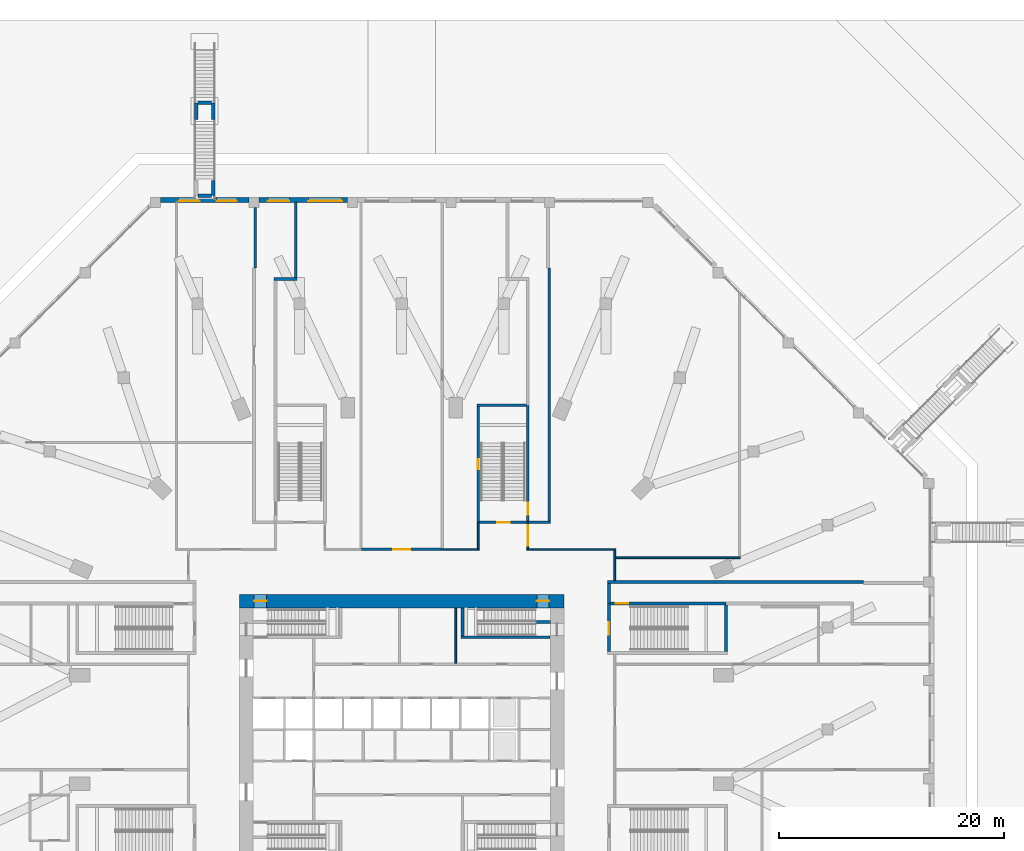
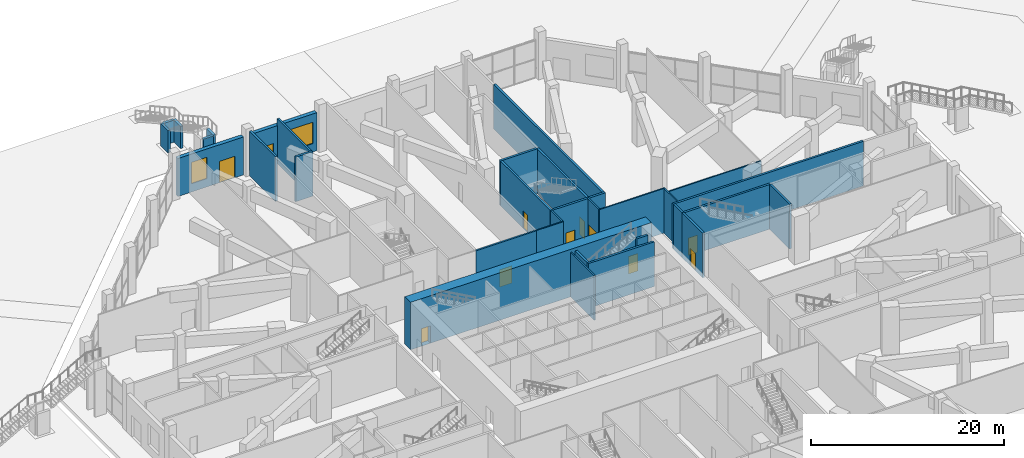
# One storey, part 27 of 36: 33 walls, 11 doors, 2 windows, 13 openings.
"""IFC4 building model written with IfcOpenShell, lengths in metres."""

from ifc_helpers import new_model, si_unit, direction, frame, frame_2d, origin, place, context, subcontext, project, spatial, rectangle, extrude, material, layer, layer_set, type_object, element, fill, save


model = new_model("IFC4")

# Units and contexts
model_context = context("Model", 3, precision=1e-05, world=origin(), true_north=direction((0.0, 1.0)))
body_context = subcontext(model_context, "Body", "Model", "MODEL_VIEW")
ifc_project = project(units=[si_unit("LENGTHUNIT", "METRE"), si_unit("AREAUNIT", "SQUARE_METRE"), si_unit("VOLUMEUNIT", "CUBIC_METRE"), si_unit("PLANEANGLEUNIT", "RADIAN"), si_unit("MASSUNIT", "GRAM", prefix="KILO")], contexts=[model_context])

# Site, building, storey
site_placement = place(None, origin())
site = spatial("IfcSite", under=ifc_project, at=site_placement, CompositionType="ELEMENT")
building_placement = place(site_placement, origin())
building = spatial("IfcBuilding", under=site, at=building_placement, Name="Msitu Wima Residences", CompositionType="ELEMENT")
storey_placement = place(building_placement, origin())
storey = spatial("IfcBuildingStorey", under=building, at=storey_placement, Name="L00", CompositionType="ELEMENT", Elevation=0.0)

# Wall, openings, door, window
ifc_material_1 = material(Name="Brick (red buff mix), cavity wall of two leaves", Category="masonry")
ifc_layer_1 = layer(ifc_material_1, 0.449951171875)
ifc_layer_set_1 = layer_set([ifc_layer_1], Name="Brick (red buff mix), cavity wall of two leaves")
wall_type_1 = type_object("IfcWallType", Name="Brick infill wall BW450 podium", PredefinedType="ELEMENTEDWALL", material=ifc_layer_set_1)
wall_1_placement = place(storey_placement, frame((-4.8212890625, 47.02490234375, 0.0), z_axis=(0.0, 0.0, 1.0), x_axis=(-1.0, 0.0, 0.0)))
wall_1 = element("IfcWall", 1, at=wall_1_placement, inside=storey, type_object=wall_type_1, Name="Brick infill wall L00 N3", PredefinedType="ELEMENTEDWALL", context=body_context, shape_type="SweptSolid", body=[
    extrude(rectangle(XDim=7.84228515625, YDim=0.449951171875, at=frame_2d((3.921142578125, 0.0))), origin(), (0.0, 0.0, 1.0), 4.800048828125),
])
opening_1_placement = place(wall_1_placement, frame((0.47119140625, 0.0, 1.050048828125)))
opening_1 = element("IfcOpeningElement", 2, at=opening_1_placement, cuts=wall_1, Name="Opening W00.002", PredefinedType="OPENING", context=body_context, shape_type="SweptSolid", body=[
    extrude(rectangle(XDim=3.0, YDim=2.699951171875, at=frame_2d((1.5, 1.35009765625))), frame((0.0, 0.23486328125, 0.0), z_axis=(0.0, -1.0, 0.0), x_axis=(1.0, 0.0, 0.0)), (0.0, 0.0, 1.0), 0.469970703125),
])
opening_2_placement = place(wall_1_placement, frame((5.15673828125, 0.0, 0.0)))
opening_2 = element("IfcOpeningElement", 3, at=opening_2_placement, cuts=wall_1, Name="Opening D00.010", PredefinedType="OPENING", context=body_context, shape_type="SweptSolid", body=[
    extrude(rectangle(XDim=1.89990234375, YDim=2.699951171875, at=frame_2d((0.949951171875, 1.35009765625))), frame((0.0, 0.23486328125, 0.0), z_axis=(0.0, -1.0, 0.0), x_axis=(1.0, 0.0, 0.0)), (0.0, 0.0, 1.0), 0.469970703125),
])
ifc_material_2 = material(Name="Anodised aluminium, bronze finish, clear laminated glazing", Category="aluminium")
door_type_1 = type_object("IfcDoorType", Name="Exit door D1900x2700", OperationType="DOUBLE_DOOR_SINGLE_SWING", PredefinedType="DOOR", material=ifc_material_2)
door_1_placement = place(opening_2_placement, frame((1.89990234375, 0.0, 0.0), z_axis=(0.0, 0.0, 1.0), x_axis=(-1.0, 0.0, 0.0)))
door_1 = element("IfcDoor", 4, at=door_1_placement, inside=storey, type_object=door_type_1, Name="Exit door L00 N3", OperationType="DOUBLE_DOOR_SINGLE_SWING", OverallHeight=2.699951171875, OverallWidth=1.89990234375, PredefinedType="DOOR", context=body_context, shape_type="SweptSolid", body=[
    extrude(rectangle(XDim=1.89990234375, YDim=2.699951171875, at=frame_2d((0.949951171875, 1.35009765625))), frame((0.0, -0.079833984375, 0.0), z_axis=(0.0, -1.0, 0.0), x_axis=(1.0, 0.0, 0.0)), (0.0, 0.0, 1.0), 0.050048828125),
])
fill(opening_2, door_1)
ifc_material_3 = material(Name="Anodised aluminium, bronze finish, clear low-emissivity double glazing", Category="aluminium")
window_type_1 = type_object("IfcWindowType", Name="Window W3000x2700", PartitioningType="DOUBLE_PANEL_VERTICAL", PredefinedType="WINDOW", material=ifc_material_3)
window_1_placement = place(opening_1_placement, origin())
window_1 = element("IfcWindow", 5, at=window_1_placement, inside=storey, type_object=window_type_1, Name="Window L00 N3.1", OverallHeight=2.699951171875, OverallWidth=3.0, PartitioningType="SINGLE_PANEL", PredefinedType="WINDOW", context=body_context, shape_type="SweptSolid", body=[
    extrude(rectangle(XDim=3.0, YDim=2.699951171875, at=frame_2d((1.5, 1.35009765625))), frame((0.0, 0.135009765625, 0.0), z_axis=(0.0, -1.0, 0.0), x_axis=(1.0, 0.0, 0.0)), (0.0, 0.0, 1.0), 0.06005859375),
])
fill(opening_1, window_1)

wall_2_placement = place(storey_placement, frame((-13.5634765625, 47.02490234375, 0.0), z_axis=(0.0, 0.0, 1.0), x_axis=(-1.0, 0.0, 0.0)))
wall_2 = element("IfcWall", 6, at=wall_2_placement, inside=storey, type_object=wall_type_1, Name="Brick infill wall L00 N4", PredefinedType="ELEMENTEDWALL", context=body_context, shape_type="SweptSolid", body=[
    extrude(rectangle(XDim=7.84228515625, YDim=0.449951171875, at=frame_2d((3.921142578125, 0.0))), origin(), (0.0, 0.0, 1.0), 4.800048828125),
])
opening_3_placement = place(wall_2_placement, frame((1.060546875, 0.0, 0.0)))
opening_3 = element("IfcOpeningElement", 7, at=opening_3_placement, cuts=wall_2, Name="Opening D00.011", PredefinedType="OPENING", context=body_context, shape_type="SweptSolid", body=[
    extrude(rectangle(XDim=1.800048828125, YDim=2.699951171875, at=frame_2d((0.89990234375, 1.35009765625))), frame((0.0, 0.23486328125, 0.0), z_axis=(0.0, -1.0, 0.0), x_axis=(1.0, 0.0, 0.0)), (0.0, 0.0, 1.0), 0.469970703125),
])
opening_4_placement = place(wall_2_placement, frame((4.37109375, 0.0, 1.050048828125)))
opening_4 = element("IfcOpeningElement", 8, at=opening_4_placement, cuts=wall_2, Name="Opening W00.003", PredefinedType="OPENING", context=body_context, shape_type="SweptSolid", body=[
    extrude(rectangle(XDim=1.8701171875, YDim=2.699951171875, at=frame_2d((0.93505859375, 1.35009765625))), frame((0.0, 0.23486328125, 0.0), z_axis=(0.0, -1.0, 0.0), x_axis=(1.0, 0.0, 0.0)), (0.0, 0.0, 1.0), 0.469970703125),
])
door_type_2 = type_object("IfcDoorType", Name="Shopfront door D1800x2700", OperationType="DOUBLE_DOOR_SINGLE_SWING", PredefinedType="DOOR", material=ifc_material_2)
door_2_placement = place(opening_3_placement, frame((1.800048828125, 0.0, 0.0), z_axis=(0.0, 0.0, 1.0), x_axis=(-1.0, 0.0, 0.0)))
door_2 = element("IfcDoor", 9, at=door_2_placement, inside=storey, type_object=door_type_2, Name="Shopfront door L00 N4", OperationType="DOUBLE_DOOR_SINGLE_SWING", OverallHeight=2.699951171875, OverallWidth=1.800048828125, PredefinedType="DOOR", context=body_context, shape_type="SweptSolid", body=[
    extrude(rectangle(XDim=1.800048828125, YDim=2.699951171875, at=frame_2d((0.900146484375, 1.35009765625))), frame((0.0, -0.079833984375, 0.0), z_axis=(0.0, -1.0, 0.0), x_axis=(1.0, 0.0, 0.0)), (0.0, 0.0, 1.0), 0.050048828125),
])
fill(opening_3, door_2)
window_type_2 = type_object("IfcWindowType", Name="Window W1870x2700", PartitioningType="DOUBLE_PANEL_VERTICAL", PredefinedType="WINDOW", material=ifc_material_3)
window_2_placement = place(opening_4_placement, origin())
window_2 = element("IfcWindow", 10, at=window_2_placement, inside=storey, type_object=window_type_2, Name="Window L00 N4.2a", OverallHeight=2.699951171875, OverallWidth=1.8701171875, PartitioningType="SINGLE_PANEL", PredefinedType="WINDOW", context=body_context, shape_type="SweptSolid", body=[
    extrude(rectangle(XDim=1.8701171875, YDim=2.699951171875, at=frame_2d((0.93505859375, 1.35009765625))), frame((0.0, 0.135009765625, 0.0), z_axis=(0.0, -1.0, 0.0), x_axis=(1.0, 0.0, 0.0)), (0.0, 0.0, 1.0), 0.06005859375),
])
fill(opening_4, window_2)

# Wall, openings, doors
ifc_material_4 = material(Name="Concrete C80/95", Category="concrete")
ifc_layer_2 = layer(ifc_material_4, 1.199951171875)
ifc_layer_set_2 = layer_set([ifc_layer_2], Name="Concrete C80/95")
wall_type_2 = type_object("IfcWallType", Name="Core wall CW1200 C80/95", PredefinedType="SHEAR", material=ifc_layer_set_2)
wall_3_placement = place(storey_placement, frame((-14.39990234375, 11.39990234375, 0.0), z_axis=(0.0, 0.0, 1.0), x_axis=(1.0, 0.0, 0.0)))
wall_3 = element("IfcWall", 11, at=wall_3_placement, inside=storey, type_object=wall_type_2, Name="Core wall", PredefinedType="SHEAR", context=body_context, shape_type="SweptSolid", body=[
    extrude(rectangle(XDim=28.7998046875, YDim=1.199951171875, at=frame_2d((14.39990234375, 0.0))), origin(), (0.0, 0.0, 1.0), 6.0),
])
opening_5_placement = place(wall_3_placement, frame((1.300048828125, 0.0, 0.0)))
opening_5 = element("IfcOpeningElement", 12, at=opening_5_placement, cuts=wall_3, Name="Opening D00.040", PredefinedType="OPENING", context=body_context, shape_type="SweptSolid", body=[
    extrude(rectangle(XDim=1.10009765625, YDim=2.199951171875, at=frame_2d((0.550048828125, 1.10009765625))), frame((0.0, 0.60986328125, 0.0), z_axis=(0.0, -1.0, 0.0), x_axis=(1.0, 0.0, 0.0)), (0.0, 0.0, 1.0), 1.219970703125),
])
opening_6_placement = place(wall_3_placement, frame((26.39990234375, 0.0, 0.0)))
opening_6 = element("IfcOpeningElement", 13, at=opening_6_placement, cuts=wall_3, Name="Opening D00.042", PredefinedType="OPENING", context=body_context, shape_type="SweptSolid", body=[
    extrude(rectangle(XDim=1.10009765625, YDim=2.199951171875, at=frame_2d((0.550048828125, 1.10009765625))), frame((0.0, 0.60986328125, 0.0), z_axis=(0.0, -1.0, 0.0), x_axis=(1.0, 0.0, 0.0)), (0.0, 0.0, 1.0), 1.219970703125),
])
ifc_material_5 = material(Name="Steel door, fire resisting, panic bar", Category="steel")
door_type_3 = type_object("IfcDoorType", Name="Stair door D06 1100x2200", OperationType="SINGLE_SWING_LEFT", PredefinedType="DOOR", material=ifc_material_5)
door_3_placement = place(opening_5_placement, origin())
door_3 = element("IfcDoor", 14, at=door_3_placement, inside=storey, type_object=door_type_3, Name="Stair door", OperationType="SINGLE_SWING_LEFT", OverallHeight=2.199951171875, OverallWidth=1.10009765625, PredefinedType="DOOR", context=body_context, shape_type="SweptSolid", body=[
    extrude(rectangle(XDim=1.10009765625, YDim=2.199951171875, at=frame_2d((0.550048828125, 1.10009765625))), frame((0.0, 0.02490234375, 0.0), z_axis=(0.0, -1.0, 0.0), x_axis=(1.0, 0.0, 0.0)), (0.0, 0.0, 1.0), 0.050048828125),
])
fill(opening_5, door_3)
door_4_placement = place(opening_6_placement, origin())
door_4 = element("IfcDoor", 15, at=door_4_placement, inside=storey, type_object=door_type_3, Name="Stair door", OperationType="SINGLE_SWING_RIGHT", OverallHeight=2.199951171875, OverallWidth=1.10009765625, PredefinedType="DOOR", context=body_context, shape_type="SweptSolid", body=[
    extrude(rectangle(XDim=1.10009765625, YDim=2.199951171875, at=frame_2d((0.550048828125, 1.10009765625))), frame((0.0, 0.02490234375, 0.0), z_axis=(0.0, -1.0, 0.0), x_axis=(1.0, 0.0, 0.0)), (0.0, 0.0, 1.0), 0.050048828125),
])
fill(opening_6, door_4)

# Wall, opening, door
ifc_material_6 = material(Name="Plaster")
ifc_layer_3 = layer(ifc_material_6, 0.011962890625, Name="Plaster")
ifc_material_7 = material(Name="Concrete blockwork", Category="masonry")
ifc_layer_4 = layer(ifc_material_7, 0.176025390625, Name="Concrete blockwork")
ifc_layer_5 = layer(ifc_material_6, 0.011962890625, Name="Plaster")
ifc_layer_set_3 = layer_set([ifc_layer_3, ifc_layer_4, ifc_layer_5], Name="Concrete blockwork")
wall_type_3 = type_object("IfcWallType", Name="Corridor wall FW200", PredefinedType="PARTITIONING", material=ifc_layer_set_3)
wall_4_placement = place(storey_placement, frame((-3.60009765625, 16.0, 0.0), z_axis=(0.0, 0.0, 1.0), x_axis=(1.0, 0.0, 0.0)))
wall_4 = element("IfcWall", 16, at=wall_4_placement, inside=storey, type_object=wall_type_3, Name="Corridor wall", PredefinedType="PARTITIONING", context=body_context, shape_type="SweptSolid", body=[
    extrude(rectangle(XDim=7.2001953125, YDim=0.199951171875, at=frame_2d((3.60009765625, 0.0))), origin(), (0.0, 0.0, 1.0), 5.64990234375),
])
opening_7_placement = place(wall_4_placement, frame((2.85009765625, 0.0, 0.0)))
opening_7 = element("IfcOpeningElement", 17, at=opening_7_placement, cuts=wall_4, Name="Opening D00.049", PredefinedType="OPENING", context=body_context, shape_type="SweptSolid", body=[
    extrude(rectangle(XDim=1.5, YDim=2.199951171875, at=frame_2d((0.75, 1.10009765625))), frame((0.0, 0.10986328125, 0.0), z_axis=(0.0, -1.0, 0.0), x_axis=(1.0, 0.0, 0.0)), (0.0, 0.0, 1.0), 0.219970703125),
])
ifc_material_8 = material(Name="Timber double door", Category="wood")
door_type_4 = type_object("IfcDoorType", Name="Double door D04 1500x2200", OperationType="DOUBLE_DOOR_SINGLE_SWING", PredefinedType="DOOR", material=ifc_material_8)
door_5_placement = place(opening_7_placement, origin())
door_5 = element("IfcDoor", 18, at=door_5_placement, inside=storey, type_object=door_type_4, Name="Double door", OperationType="DOUBLE_DOOR_SINGLE_SWING", OverallHeight=2.199951171875, OverallWidth=1.5, PredefinedType="DOOR", context=body_context, shape_type="SweptSolid", body=[
    extrude(rectangle(XDim=1.5, YDim=2.199951171875, at=frame_2d((0.75, 1.10009765625))), frame((0.0, 0.02490234375, 0.0), z_axis=(0.0, -1.0, 0.0), x_axis=(1.0, 0.0, 0.0)), (0.0, 0.0, 1.0), 0.050048828125),
])
fill(opening_7, door_5)

# Walls
ifc_material_9 = material(Name="Facing brick")
ifc_layer_6 = layer(ifc_material_9, 0.06494140625, Name="Facing brick")
ifc_material_10 = material(Name="Concrete C40/50", Category="concrete")
ifc_layer_7 = layer(ifc_material_10, 0.235107421875, Name="Concrete C40/50")
ifc_layer_set_4 = layer_set([ifc_layer_6, ifc_layer_7], Name="Concrete C40/50")
wall_type_4 = type_object("IfcWallType", Name="Garden stair support wall SW300", PredefinedType="SOLIDWALL", material=ifc_layer_set_4)
wall_5_placement = place(storey_placement, frame((-16.734619140625, 47.39990234375, 0.0), z_axis=(0.0, 0.0, 1.0), x_axis=(0.0, 1.0, 0.0)))
element("IfcWall", 19, at=wall_5_placement, inside=storey, type_object=wall_type_4, Name="Garden stair 5 support wall", PredefinedType="SOLIDWALL", context=body_context, shape_type="SweptSolid", body=[
    extrude(rectangle(XDim=1.35009765625, YDim=0.300048828125, at=frame_2d((0.675048828125, 0.0))), origin(), (0.0, 0.0, 1.0), 5.800048828125),
])
wall_6_placement = place(storey_placement, frame((-16.884765625, 47.39990234375, 0.0), z_axis=(0.0, 0.0, 1.0), x_axis=(-1.0, 0.0, 0.0)))
element("IfcWall", 20, at=wall_6_placement, inside=storey, type_object=wall_type_4, Name="Garden stair 5 support wall", PredefinedType="SOLIDWALL", context=body_context, shape_type="SweptSolid", body=[
    extrude(rectangle(XDim=1.199951171875, YDim=0.300048828125, at=frame_2d((0.60009765625, 0.0))), origin(), (0.0, 0.0, 1.0), 5.800048828125),
])
for number, where, z_axis, x_axis, name in (
    (21, (-16.734619140625, 54.14990234375, 0.0), (0.0, 0.0, 1.0), (0.0, 1.0, 0.0), "Garden stair 5 support wall"),
    (22, (-18.234619140625, 54.14990234375, 0.0), (0.0, 0.0, 1.0), (0.0, 1.0, 0.0), "Garden stair 5 support wall"),
):
    element("IfcWall", number, at=place(storey_placement, frame(where, z_axis=z_axis, x_axis=x_axis)), inside=storey, type_object=wall_type_4, Name=name, PredefinedType="SOLIDWALL", context=body_context, shape_type="SweptSolid", body=[
        extrude(rectangle(XDim=1.5, YDim=0.300048828125, at=frame_2d((0.75, 0.0))), origin(), (0.0, 0.0, 1.0), 2.800048828125),
    ])
wall_7_placement = place(storey_placement, frame((-16.884765625, 55.64990234375, 0.0), z_axis=(0.0, 0.0, 1.0), x_axis=(-1.0, 0.0, 0.0)))
element("IfcWall", 23, at=wall_7_placement, inside=storey, type_object=wall_type_4, Name="Garden stair 5 support wall", PredefinedType="SOLIDWALL", context=body_context, shape_type="SweptSolid", body=[
    extrude(rectangle(XDim=1.199951171875, YDim=0.300048828125, at=frame_2d((0.60009765625, 0.0))), origin(), (0.0, 0.0, 1.0), 2.800048828125),
])
ifc_layer_8 = layer(ifc_material_6, 0.011962890625, Name="Plaster")
ifc_layer_9 = layer(ifc_material_7, 0.1259765625, Name="Concrete blockwork")
ifc_layer_10 = layer(ifc_material_6, 0.011962890625, Name="Plaster")
ifc_layer_set_5 = layer_set([ifc_layer_8, ifc_layer_9, ifc_layer_10], Name="Concrete blockwork")
wall_type_5 = type_object("IfcWallType", Name="Partition PW150", PredefinedType="PARTITIONING", material=ifc_layer_set_5)
wall_8_placement = place(storey_placement, frame((3.60009765625, 16.0, 0.0), z_axis=(0.0, 0.0, 1.0), x_axis=(1.0, 0.0, 0.0)))
element("IfcWall", 24, at=wall_8_placement, inside=storey, type_object=wall_type_5, Name="Partition", PredefinedType="PARTITIONING", context=body_context, shape_type="SweptSolid", body=[
    extrude(rectangle(XDim=3.27490234375, YDim=0.14990234375, at=frame_2d((1.637451171875, 0.0))), origin(), (0.0, 0.0, 1.0), 5.64990234375),
])
wall_9_placement = place(storey_placement, frame((4.800048828125, 5.89990234375, 0.0), z_axis=(0.0, 0.0, 1.0), x_axis=(0.0, 1.0, 0.0)))
element("IfcWall", 25, at=wall_9_placement, inside=storey, type_object=wall_type_5, Name="Partition", PredefinedType="PARTITIONING", context=body_context, shape_type="SweptSolid", body=[
    extrude(rectangle(XDim=4.8701171875, YDim=0.14990234375, at=frame_2d((2.43505859375, 0.0))), origin(), (0.0, 0.0, 1.0), 5.64990234375),
])
wall_10_placement = place(storey_placement, frame((6.800048828125, 16.074951171875, 0.0), z_axis=(0.0, 0.0, 1.0), x_axis=(0.0, 1.0, 0.0)))
element("IfcWall", 26, at=wall_10_placement, inside=storey, type_object=wall_type_5, Name="Partition", PredefinedType="PARTITIONING", context=body_context, shape_type="SweptSolid", body=[
    extrude(rectangle(XDim=2.324951171875, YDim=0.14990234375, at=frame_2d((1.16259765625, 0.0))), origin(), (0.0, 0.0, 1.0), 5.64990234375),
])

# Wall, opening, door
wall_11_placement = place(storey_placement, frame((11.199951171875, 16.074951171875, 0.0), z_axis=(0.0, 0.0, 1.0), x_axis=(0.0, 1.0, 0.0)))
wall_11 = element("IfcWall", 27, at=wall_11_placement, inside=storey, type_object=wall_type_5, Name="Partition", PredefinedType="PARTITIONING", context=body_context, shape_type="SweptSolid", body=[
    extrude(rectangle(XDim=2.324951171875, YDim=0.14990234375, at=frame_2d((1.16259765625, 0.0))), origin(), (0.0, 0.0, 1.0), 5.64990234375),
])
opening_8_placement = place(wall_11_placement, frame((0.25, 0.0, 0.0)))
opening_8 = element("IfcOpeningElement", 28, at=opening_8_placement, cuts=wall_11, Name="Opening D00.058", PredefinedType="OPENING", context=body_context, shape_type="SweptSolid", body=[
    extrude(rectangle(XDim=1.800048828125, YDim=2.39990234375, at=frame_2d((0.89990234375, 1.199951171875))), frame((0.0, 0.0849609375, 0.0), z_axis=(0.0, -1.0, 0.0), x_axis=(1.0, 0.0, 0.0)), (0.0, 0.0, 1.0), 0.169921875),
])
ifc_material_11 = material(Name="Glazed aluminium door", Category="aluminium")
door_type_5 = type_object("IfcDoorType", Name="Shopfront door D11 1800x2400", OperationType="DOUBLE_DOOR_SINGLE_SWING", PredefinedType="DOOR", material=ifc_material_11)
door_6_placement = place(opening_8_placement, origin())
door_6 = element("IfcDoor", 29, at=door_6_placement, inside=storey, type_object=door_type_5, Name="Shopfront door", OperationType="DOUBLE_DOOR_SINGLE_SWING", OverallHeight=2.39990234375, OverallWidth=1.800048828125, PredefinedType="DOOR", context=body_context, shape_type="SweptSolid", body=[
    extrude(rectangle(XDim=1.800048828125, YDim=2.39990234375, at=frame_2d((0.89990234375, 1.199951171875))), frame((0.0, 0.02490234375, 0.0), z_axis=(0.0, -1.0, 0.0), x_axis=(1.0, 0.0, 0.0)), (0.0, 0.0, 1.0), 0.050048828125),
])
fill(opening_8, door_6)

# Walls
wall_12_placement = place(storey_placement, frame((11.125, 16.0, 0.0), z_axis=(0.0, 0.0, 1.0), x_axis=(1.0, 0.0, 0.0)))
element("IfcWall", 30, at=wall_12_placement, inside=storey, type_object=wall_type_5, Name="Partition", PredefinedType="PARTITIONING", context=body_context, shape_type="SweptSolid", body=[
    extrude(rectangle(XDim=7.8779296875, YDim=0.14990234375, at=frame_2d((3.93896484375, 0.0))), origin(), (0.0, 0.0, 1.0), 5.64990234375),
])
wall_13_placement = place(storey_placement, frame((18.927978515625, 13.22509765625, 0.0), z_axis=(0.0, 0.0, 1.0), x_axis=(0.0, 1.0, 0.0)))
element("IfcWall", 31, at=wall_13_placement, inside=storey, type_object=wall_type_5, Name="Partition", PredefinedType="PARTITIONING", context=body_context, shape_type="SweptSolid", body=[
    extrude(rectangle(XDim=2.699951171875, YDim=0.14990234375, at=frame_2d((1.35009765625, 0.0))), origin(), (0.0, 0.0, 1.0), 5.64990234375),
])
wall_14_placement = place(storey_placement, frame((19.0029296875, 15.2568359375, 0.0), z_axis=(0.0, 0.0, 1.0), x_axis=(1.0, 0.0, 0.0)))
element("IfcWall", 32, at=wall_14_placement, inside=storey, type_object=wall_type_5, Name="Partition", PredefinedType="PARTITIONING", context=body_context, shape_type="SweptSolid", body=[
    extrude(rectangle(XDim=11.072021484375, YDim=0.14990234375, at=frame_2d((5.5361328125, 0.0))), origin(), (0.0, 0.0, 1.0), 5.64990234375),
])
ifc_material_12 = material(Name="Concrete C50/60", Category="concrete")
ifc_layer_11 = layer(ifc_material_12, 0.25)
ifc_layer_set_6 = layer_set([ifc_layer_11], Name="Concrete C50/60")
wall_type_6 = type_object("IfcWallType", Name="Stair enclosure wall SW250", PredefinedType="SHEAR", material=ifc_layer_set_6)
wall_15_placement = place(storey_placement, frame((5.39990234375, 8.324951171875, 0.0), z_axis=(0.0, 0.0, 1.0), x_axis=(0.0, 1.0, 0.0)))
element("IfcWall", 33, at=wall_15_placement, inside=storey, type_object=wall_type_6, Name="Stair enclosure wall", PredefinedType="SHEAR", context=body_context, shape_type="SweptSolid", body=[
    extrude(rectangle(XDim=2.445068359375, YDim=0.25, at=frame_2d((1.22265625, 0.0))), origin(), (0.0, 0.0, 1.0), 5.64990234375),
])
wall_16_placement = place(storey_placement, frame((5.27490234375, 8.199951171875, 0.0), z_axis=(0.0, 0.0, 1.0), x_axis=(1.0, 0.0, 0.0)))
element("IfcWall", 34, at=wall_16_placement, inside=storey, type_object=wall_type_6, Name="Stair enclosure wall", PredefinedType="SHEAR", context=body_context, shape_type="SweptSolid", body=[
    extrude(rectangle(XDim=7.89501953125, YDim=0.25, at=frame_2d((3.947509765625, 0.0))), origin(), (0.0, 0.0, 1.0), 5.64990234375),
])

# Wall, opening, door
wall_17_placement = place(storey_placement, frame((6.800048828125, 18.39990234375, 0.0), z_axis=(0.0, 0.0, 1.0), x_axis=(0.0, 1.0, 0.0)))
wall_17 = element("IfcWall", 35, at=wall_17_placement, inside=storey, type_object=wall_type_6, Name="Stair enclosure wall", PredefinedType="SHEAR", context=body_context, shape_type="SweptSolid", body=[
    extrude(rectangle(XDim=10.275146484375, YDim=0.25, at=frame_2d((5.1376953125, 0.0))), origin(), (0.0, 0.0, 1.0), 5.64990234375),
])
opening_9_placement = place(wall_17_placement, frame((4.699951171875, 0.0, 0.0)))
opening_9 = element("IfcOpeningElement", 36, at=opening_9_placement, cuts=wall_17, Name="Opening D00.075", PredefinedType="OPENING", context=body_context, shape_type="SweptSolid", body=[
    extrude(rectangle(XDim=0.89990234375, YDim=2.199951171875, at=frame_2d((0.449951171875, 1.10009765625))), frame((0.0, 0.135009765625, 0.0), z_axis=(0.0, -1.0, 0.0), x_axis=(1.0, 0.0, 0.0)), (0.0, 0.0, 1.0), 0.27001953125),
])
ifc_material_13 = material(Name="Timber flush door", Category="wood")
door_type_6 = type_object("IfcDoorType", Name="Service door D05 900x2200", OperationType="SINGLE_SWING_LEFT", PredefinedType="DOOR", material=ifc_material_13)
door_7_placement = place(opening_9_placement, origin())
door_7 = element("IfcDoor", 37, at=door_7_placement, inside=storey, type_object=door_type_6, Name="Service door", OperationType="SINGLE_SWING_RIGHT", OverallHeight=2.199951171875, OverallWidth=0.89990234375, PredefinedType="DOOR", context=body_context, shape_type="SweptSolid", body=[
    extrude(rectangle(XDim=0.89990234375, YDim=2.199951171875, at=frame_2d((0.449951171875, 1.10009765625))), frame((0.0, 0.02490234375, 0.0), z_axis=(0.0, -1.0, 0.0), x_axis=(1.0, 0.0, 0.0)), (0.0, 0.0, 1.0), 0.050048828125),
])
fill(opening_9, door_7)

wall_18_placement = place(storey_placement, frame((6.925048828125, 18.39990234375, 0.0), z_axis=(0.0, 0.0, 1.0), x_axis=(1.0, 0.0, 0.0)))
wall_18 = element("IfcWall", 38, at=wall_18_placement, inside=storey, type_object=wall_type_6, Name="Stair enclosure wall", PredefinedType="SHEAR", context=body_context, shape_type="SweptSolid", body=[
    extrude(rectangle(XDim=4.27490234375, YDim=0.25, at=frame_2d((2.137451171875, 0.0))), origin(), (0.0, 0.0, 1.0), 5.64990234375),
])
opening_10_placement = place(wall_18_placement, frame((1.550048828125, 0.0, 0.0)))
opening_10 = element("IfcOpeningElement", 39, at=opening_10_placement, cuts=wall_18, Name="Opening D00.082", PredefinedType="OPENING", context=body_context, shape_type="SweptSolid", body=[
    extrude(rectangle(XDim=1.10009765625, YDim=2.199951171875, at=frame_2d((0.550048828125, 1.10009765625))), frame((0.0, 0.135009765625, 0.0), z_axis=(0.0, -1.0, 0.0), x_axis=(1.0, 0.0, 0.0)), (0.0, 0.0, 1.0), 0.27001953125),
])
door_type_7 = type_object("IfcDoorType", Name="Stair door D13 1100x2200", OperationType="SINGLE_SWING_LEFT", PredefinedType="DOOR", material=ifc_material_5)
door_8_placement = place(opening_10_placement, origin())
door_8 = element("IfcDoor", 40, at=door_8_placement, inside=storey, type_object=door_type_7, Name="Stair door", OperationType="SINGLE_SWING_LEFT", OverallHeight=2.199951171875, OverallWidth=1.10009765625, PredefinedType="DOOR", context=body_context, shape_type="SweptSolid", body=[
    extrude(rectangle(XDim=1.10009765625, YDim=2.199951171875, at=frame_2d((0.550048828125, 1.10009765625))), frame((0.0, 0.02490234375, 0.0), z_axis=(0.0, -1.0, 0.0), x_axis=(1.0, 0.0, 0.0)), (0.0, 0.0, 1.0), 0.050048828125),
])
fill(opening_10, door_8)

# Wall
wall_19_placement = place(storey_placement, frame((6.675048828125, 28.800048828125, 0.0), z_axis=(0.0, 0.0, 1.0), x_axis=(1.0, 0.0, 0.0)))
element("IfcWall", 41, at=wall_19_placement, inside=storey, type_object=wall_type_6, Name="Stair enclosure wall", PredefinedType="SHEAR", context=body_context, shape_type="SweptSolid", body=[
    extrude(rectangle(XDim=4.39990234375, YDim=0.25, at=frame_2d((2.199951171875, 0.0))), origin(), (0.0, 0.0, 1.0), 5.64990234375),
])

# Wall, opening, door
wall_20_placement = place(storey_placement, frame((11.199951171875, 18.39990234375, 0.0), z_axis=(0.0, 0.0, 1.0), x_axis=(0.0, 1.0, 0.0)))
wall_20 = element("IfcWall", 42, at=wall_20_placement, inside=storey, type_object=wall_type_6, Name="Stair enclosure wall", PredefinedType="SHEAR", context=body_context, shape_type="SweptSolid", body=[
    extrude(rectangle(XDim=10.380126953125, YDim=0.25, at=frame_2d((5.18994140625, 0.0))), origin(), (0.0, 0.0, 1.0), 5.64990234375),
])
opening_11_placement = place(wall_20_placement, frame((0.64990234375, 0.0, 0.0)))
opening_11 = element("IfcOpeningElement", 43, at=opening_11_placement, cuts=wall_20, Name="Opening D00.083", PredefinedType="OPENING", context=body_context, shape_type="SweptSolid", body=[
    extrude(rectangle(XDim=1.10009765625, YDim=2.199951171875, at=frame_2d((0.550048828125, 1.10009765625))), frame((0.0, 0.135009765625, 0.0), z_axis=(0.0, -1.0, 0.0), x_axis=(1.0, 0.0, 0.0)), (0.0, 0.0, 1.0), 0.27001953125),
])
door_9_placement = place(opening_11_placement, origin())
door_9 = element("IfcDoor", 44, at=door_9_placement, inside=storey, type_object=door_type_7, Name="Stair door", OperationType="SINGLE_SWING_RIGHT", OverallHeight=2.199951171875, OverallWidth=1.10009765625, PredefinedType="DOOR", context=body_context, shape_type="SweptSolid", body=[
    extrude(rectangle(XDim=1.10009765625, YDim=2.199951171875, at=frame_2d((0.550048828125, 1.10009765625))), frame((0.0, 0.02490234375, 0.0), z_axis=(0.0, -1.0, 0.0), x_axis=(1.0, 0.0, 0.0)), (0.0, 0.0, 1.0), 0.050048828125),
])
fill(opening_11, door_9)

wall_21_placement = place(storey_placement, frame((18.39990234375, 6.925048828125, 0.0), z_axis=(0.0, 0.0, 1.0), x_axis=(0.0, 1.0, 0.0)))
wall_21 = element("IfcWall", 45, at=wall_21_placement, inside=storey, type_object=wall_type_6, Name="Stair enclosure wall", PredefinedType="SHEAR", context=body_context, shape_type="SweptSolid", body=[
    extrude(rectangle(XDim=4.27490234375, YDim=0.25, at=frame_2d((2.137451171875, 0.0))), origin(), (0.0, 0.0, 1.0), 5.64990234375),
])
opening_12_placement = place(wall_21_placement, frame((1.5, 0.0, 0.0)))
opening_12 = element("IfcOpeningElement", 46, at=opening_12_placement, cuts=wall_21, Name="Opening D00.076", PredefinedType="OPENING", context=body_context, shape_type="SweptSolid", body=[
    extrude(rectangle(XDim=1.10009765625, YDim=2.199951171875, at=frame_2d((0.550048828125, 1.10009765625))), frame((0.0, 0.135009765625, 0.0), z_axis=(0.0, -1.0, 0.0), x_axis=(1.0, 0.0, 0.0)), (0.0, 0.0, 1.0), 0.27001953125),
])
door_10_placement = place(opening_12_placement, origin())
door_10 = element("IfcDoor", 47, at=door_10_placement, inside=storey, type_object=door_type_7, Name="Stair door", OperationType="SINGLE_SWING_LEFT", OverallHeight=2.199951171875, OverallWidth=1.10009765625, PredefinedType="DOOR", context=body_context, shape_type="SweptSolid", body=[
    extrude(rectangle(XDim=1.10009765625, YDim=2.199951171875, at=frame_2d((0.550048828125, 1.10009765625))), frame((0.0, 0.02490234375, 0.0), z_axis=(0.0, -1.0, 0.0), x_axis=(1.0, 0.0, 0.0)), (0.0, 0.0, 1.0), 0.050048828125),
])
fill(opening_12, door_10)

wall_22_placement = place(storey_placement, frame((18.52490234375, 11.199951171875, 0.0), z_axis=(0.0, 0.0, 1.0), x_axis=(1.0, 0.0, 0.0)))
wall_22 = element("IfcWall", 48, at=wall_22_placement, inside=storey, type_object=wall_type_6, Name="Stair enclosure wall", PredefinedType="SHEAR", context=body_context, shape_type="SweptSolid", body=[
    extrude(rectangle(XDim=10.255126953125, YDim=0.25, at=frame_2d((5.12744140625, 0.0))), origin(), (0.0, 0.0, 1.0), 5.64990234375),
])
opening_13_placement = place(wall_22_placement, frame((0.5, 0.0, 0.0)))
opening_13 = element("IfcOpeningElement", 49, at=opening_13_placement, cuts=wall_22, Name="Opening D00.077", PredefinedType="OPENING", context=body_context, shape_type="SweptSolid", body=[
    extrude(rectangle(XDim=1.10009765625, YDim=2.199951171875, at=frame_2d((0.550048828125, 1.10009765625))), frame((0.0, 0.135009765625, 0.0), z_axis=(0.0, -1.0, 0.0), x_axis=(1.0, 0.0, 0.0)), (0.0, 0.0, 1.0), 0.27001953125),
])
door_11_placement = place(opening_13_placement, origin())
door_11 = element("IfcDoor", 50, at=door_11_placement, inside=storey, type_object=door_type_7, Name="Stair door", OperationType="SINGLE_SWING_LEFT", OverallHeight=2.199951171875, OverallWidth=1.10009765625, PredefinedType="DOOR", context=body_context, shape_type="SweptSolid", body=[
    extrude(rectangle(XDim=1.10009765625, YDim=2.199951171875, at=frame_2d((0.550048828125, 1.10009765625))), frame((0.0, 0.02490234375, 0.0), z_axis=(0.0, -1.0, 0.0), x_axis=(1.0, 0.0, 0.0)), (0.0, 0.0, 1.0), 0.050048828125),
])
fill(opening_13, door_11)

# Walls
wall_23_placement = place(storey_placement, frame((28.800048828125, 6.925048828125, 0.0), z_axis=(0.0, 0.0, 1.0), x_axis=(0.0, 1.0, 0.0)))
element("IfcWall", 51, at=wall_23_placement, inside=storey, type_object=wall_type_6, Name="Stair enclosure wall", PredefinedType="SHEAR", context=body_context, shape_type="SweptSolid", body=[
    extrude(rectangle(XDim=4.14990234375, YDim=0.25, at=frame_2d((2.074951171875, 0.0))), origin(), (0.0, 0.0, 1.0), 5.64990234375),
])
ifc_layer_12 = layer(ifc_material_6, 0.011962890625, Name="Plaster")
ifc_material_14 = material(Name="Reinforced concrete blockwork", Category="masonry")
ifc_layer_13 = layer(ifc_material_14, 0.22607421875, Name="Reinforced concrete blockwork")
ifc_layer_14 = layer(ifc_material_6, 0.011962890625, Name="Plaster")
ifc_layer_set_7 = layer_set([ifc_layer_12, ifc_layer_13, ifc_layer_14], Name="Reinforced concrete blockwork")
wall_type_7 = type_object("IfcWallType", Name="Stair enclosure wall SW250B", PredefinedType="PARTITIONING", material=ifc_layer_set_7)
wall_24_placement = place(storey_placement, frame((-13.0, 41.0, 0.0), z_axis=(0.0, 0.0, 1.0), x_axis=(0.0, 1.0, 0.0)))
element("IfcWall", 52, at=wall_24_placement, inside=storey, type_object=wall_type_7, Name="Stair enclosure wall", PredefinedType="PARTITIONING", context=body_context, shape_type="SweptSolid", body=[
    extrude(rectangle(XDim=5.35009765625, YDim=0.25, at=frame_2d((2.675048828125, 0.0))), origin(), (0.0, 0.0, 1.0), 5.64990234375),
])
wall_25_placement = place(storey_placement, frame((-11.324951171875, 40.0, 0.0), z_axis=(0.0, 0.0, 1.0), x_axis=(1.0, 0.0, 0.0)))
element("IfcWall", 53, at=wall_25_placement, inside=storey, type_object=wall_type_7, Name="Stair enclosure wall", PredefinedType="PARTITIONING", context=body_context, shape_type="SweptSolid", body=[
    extrude(rectangle(XDim=2.050048828125, YDim=0.25, at=frame_2d((1.02490234375, 0.0))), origin(), (0.0, 0.0, 1.0), 5.64990234375),
])
wall_26_placement = place(storey_placement, frame((-9.39990234375, 40.125, 0.0), z_axis=(0.0, 0.0, 1.0), x_axis=(0.0, 1.0, 0.0)))
element("IfcWall", 54, at=wall_26_placement, inside=storey, type_object=wall_type_7, Name="Stair enclosure wall", PredefinedType="PARTITIONING", context=body_context, shape_type="SweptSolid", body=[
    extrude(rectangle(XDim=6.72998046875, YDim=0.25, at=frame_2d((3.364990234375, 0.0))), origin(), (0.0, 0.0, 1.0), 5.64990234375),
])
wall_27_placement = place(storey_placement, frame((11.199951171875, 18.39990234375, 0.0), z_axis=(0.0, 0.0, 1.0), x_axis=(1.0, 0.0, 0.0)))
element("IfcWall", 55, at=wall_27_placement, inside=storey, type_object=wall_type_7, Name="Stair enclosure wall", PredefinedType="PARTITIONING", context=body_context, shape_type="SweptSolid", body=[
    extrude(rectangle(XDim=2.025146484375, YDim=0.25, at=frame_2d((1.0126953125, 0.0))), origin(), (0.0, 0.0, 1.0), 5.64990234375),
])
wall_28_placement = place(storey_placement, frame((13.10009765625, 18.52490234375, 0.0), z_axis=(0.0, 0.0, 1.0), x_axis=(0.0, 1.0, 0.0)))
element("IfcWall", 56, at=wall_28_placement, inside=storey, type_object=wall_type_7, Name="Stair enclosure wall", PredefinedType="PARTITIONING", context=body_context, shape_type="SweptSolid", body=[
    extrude(rectangle(XDim=22.47509765625, YDim=0.25, at=frame_2d((11.237548828125, 0.0))), origin(), (0.0, 0.0, 1.0), 5.64990234375),
])
wall_29_placement = place(storey_placement, frame((18.39990234375, 11.199951171875, 0.0), z_axis=(0.0, 0.0, 1.0), x_axis=(0.0, 1.0, 0.0)))
element("IfcWall", 57, at=wall_29_placement, inside=storey, type_object=wall_type_7, Name="Stair enclosure wall", PredefinedType="PARTITIONING", context=body_context, shape_type="SweptSolid", body=[
    extrude(rectangle(XDim=1.775146484375, YDim=0.25, at=frame_2d((0.8876953125, 0.0))), origin(), (0.0, 0.0, 1.0), 5.64990234375),
])
wall_30_placement = place(storey_placement, frame((18.27490234375, 13.10009765625, 0.0), z_axis=(0.0, 0.0, 1.0), x_axis=(1.0, 0.0, 0.0)))
element("IfcWall", 58, at=wall_30_placement, inside=storey, type_object=wall_type_7, Name="Stair enclosure wall", PredefinedType="PARTITIONING", context=body_context, shape_type="SweptSolid", body=[
    extrude(rectangle(XDim=22.72509765625, YDim=0.25, at=frame_2d((11.362548828125, 0.0))), origin(), (0.0, 0.0, 1.0), 5.64990234375),
])
wall_31_placement = place(storey_placement, frame((13.199951171875, 9.56005859375, 0.0), z_axis=(0.0, 0.0, 1.0), x_axis=(-1.0, 0.0, 0.0)))
element("IfcWall", 59, at=wall_31_placement, inside=storey, type_object=wall_type_7, Name="Stair enclosure wall", PredefinedType="PARTITIONING", context=body_context, shape_type="SweptSolid", body=[
    extrude(rectangle(XDim=1.324951171875, YDim=0.25, at=frame_2d((0.66259765625, 0.0))), origin(), (0.0, 0.0, 1.0), 5.64990234375),
])

save(model, "model.ifc")
